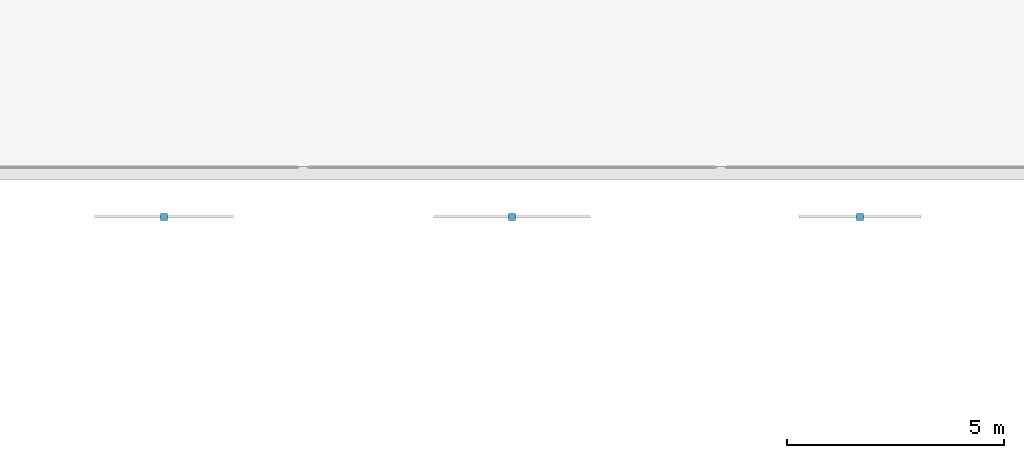
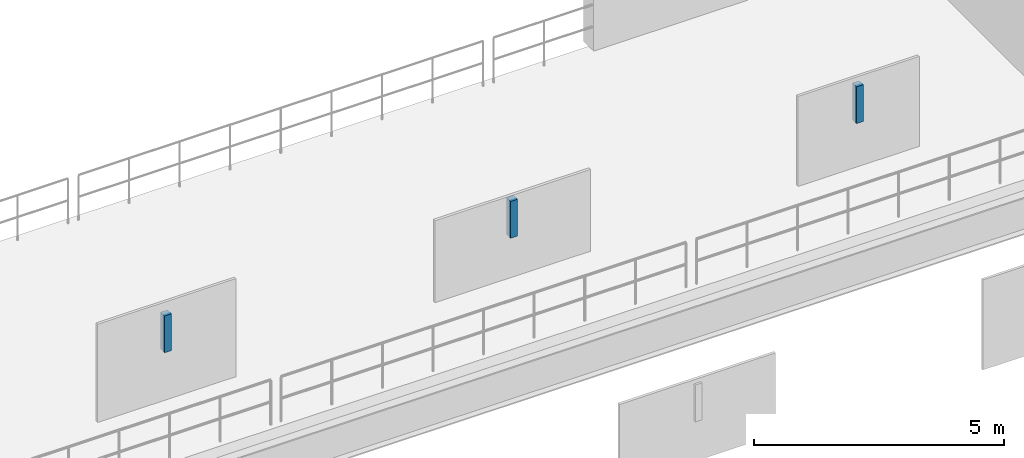
# One storey, part 46 of 52: 3 discrete accessories.
"""IFC4 building model written with IfcOpenShell, lengths in metres."""

from ifc_helpers import new_model, si_unit, direction, frame, origin, origin_2d, place, context, subcontext, project, spatial, rectangle, extrude, material, layer, layer_set, type_object, element, save


model = new_model("IFC4")

# Units and contexts
model_context = context("Model", 3, precision=1e-05, world=origin(), true_north=direction((0.0, 1.0)))
body_context = subcontext(model_context, "Body", "Model", "MODEL_VIEW")
ifc_project = project(units=[si_unit("LENGTHUNIT", "METRE"), si_unit("AREAUNIT", "SQUARE_METRE"), si_unit("VOLUMEUNIT", "CUBIC_METRE"), si_unit("PLANEANGLEUNIT", "RADIAN"), si_unit("MASSUNIT", "GRAM", prefix="KILO")], contexts=[model_context])

# Site, building, storey
site_placement = place(None, origin())
site = spatial("IfcSite", under=ifc_project, at=site_placement, CompositionType="ELEMENT")
building_placement = place(site_placement, origin())
building = spatial("IfcBuilding", under=site, at=building_placement, Name="Lornevale Opera House", CompositionType="ELEMENT")
storey_placement = place(building_placement, frame((0.0, 0.0, 15.0)))
storey = spatial("IfcBuildingStorey", under=building, at=storey_placement, Name="L04", CompositionType="ELEMENT", Elevation=15.0)

# Discrete accessories
ifc_material = material(Name="Structural Steel CSA G40.21 Grade 350W (350 MPa)", Category="steel")
ifc_layer = layer(ifc_material, 0.89990234375)
ifc_layer_set = layer_set([ifc_layer], Name="Structural Steel CSA G40.21 Grade 350W (350 MPa)")
discrete_accessory_type = type_object("IfcDiscreteAccessoryType", Name="Acoustic Hanger Bracket", PredefinedType="BRACKET", material=ifc_layer_set)
for number, where, z_axis, x_axis, name in (
    (1, (73.60009765625, 57.800048828125, 3.60009765625), (0.0, 0.0, 1.0), (1.0, 0.0, 0.0), "Acoustic Hanger Bracket AC-007"),
    (2, (81.60009765625, 57.800048828125, 3.60009765625), (0.0, 0.0, 1.0), (1.0, 0.0, 0.0), "Acoustic Hanger Bracket AC-008"),
    (3, (89.60009765625, 57.800048828125, 3.60009765625), (0.0, 0.0, 1.0), (1.0, 0.0, 0.0), "Acoustic Hanger Bracket AC-009"),
):
    element("IfcDiscreteAccessory", number, at=place(storey_placement, frame(where, z_axis=z_axis, x_axis=x_axis)), inside=storey, type_object=discrete_accessory_type, Name=name, PredefinedType="BRACKET", context=body_context, shape_type="SweptSolid", body=[
        extrude(rectangle(XDim=0.159912109375, YDim=0.159912109375, at=origin_2d()), origin(), (0.0, 0.0, 1.0), 0.89990234375),
    ])

save(model, "model.ifc")
